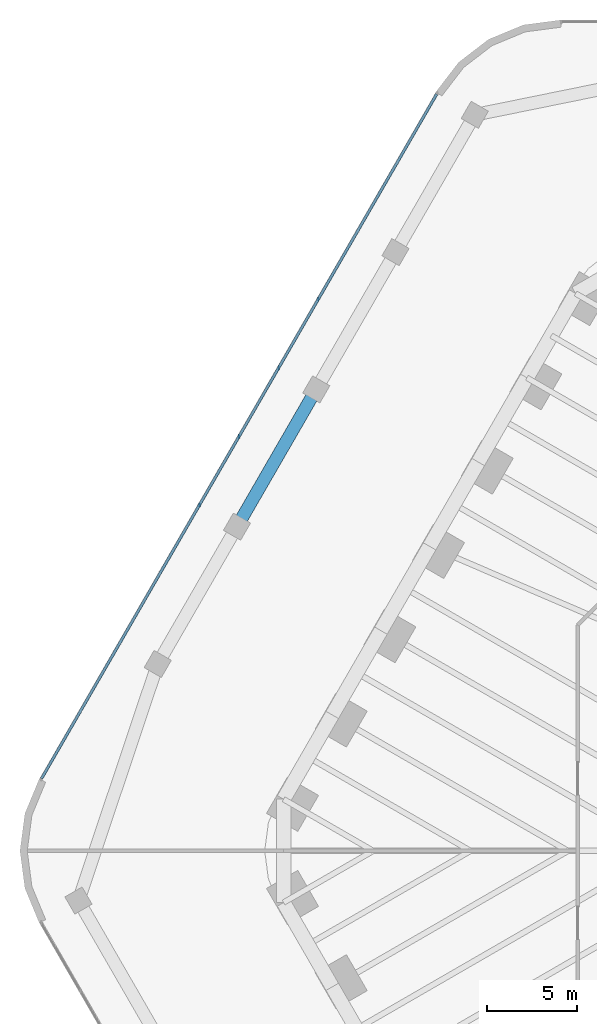
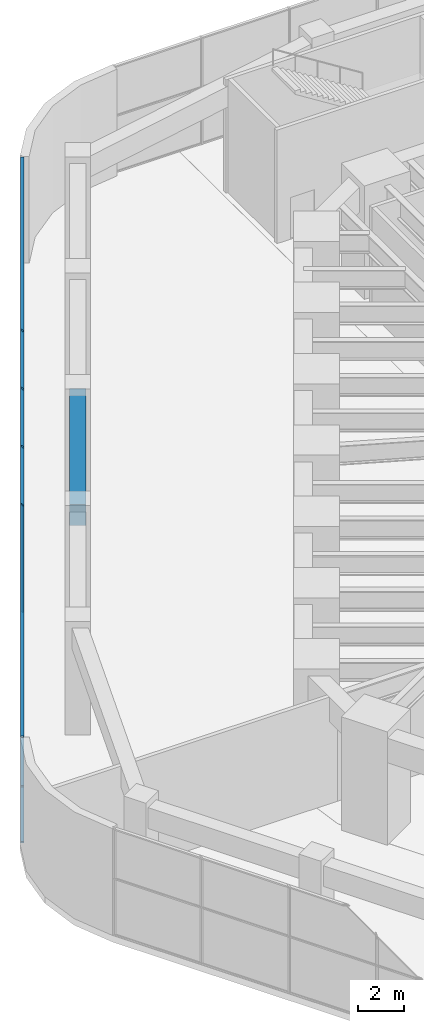
# One storey, part 15 of 31: 7 members, 1 beam, 1 element without a shape of its own.
"""IFC4 building model written with IfcOpenShell, lengths in metres."""

from ifc_helpers import new_model, si_unit, direction, frame, origin, origin_2d, place, context, subcontext, project, spatial, rectangle, extrude, material, material_profile, profile_set, type_object, element, aggregate, save


model = new_model("IFC4")

# Units and contexts
model_context = context("Model", 3, precision=1e-05, world=origin(), true_north=direction((0.0, 1.0)))
body_context = subcontext(model_context, "Body", "Model", "MODEL_VIEW")
ifc_project = project(units=[si_unit("LENGTHUNIT", "METRE"), si_unit("AREAUNIT", "SQUARE_METRE"), si_unit("VOLUMEUNIT", "CUBIC_METRE"), si_unit("PLANEANGLEUNIT", "RADIAN"), si_unit("MASSUNIT", "GRAM", prefix="KILO")], contexts=[model_context])

# Site, building, storey
site_placement = place(None, origin())
site = spatial("IfcSite", under=ifc_project, at=site_placement, CompositionType="ELEMENT")
building_placement = place(site_placement, origin())
building = spatial("IfcBuilding", under=site, at=building_placement, Name="Tarfa Lantern Tower", CompositionType="ELEMENT")
storey_placement = place(building_placement, frame((0.0, 0.0, 7.0)))
storey = spatial("IfcBuildingStorey", under=building, at=storey_placement, Name="L01", CompositionType="ELEMENT", Elevation=7.0)

# Curtain wall, members
ifc_material_1 = material(Name="Aluminium framed curtain wall", Category="aluminium")
curtain_wall_type = type_object("IfcCurtainWallType", Name="CW7 PODIUM GLAZING 5650", PredefinedType="USERDEFINED", material=ifc_material_1)
curtain_wall_placement = place(storey_placement, origin())
curtain_wall = element("IfcCurtainWall", 1, at=curtain_wall_placement, inside=storey, type_object=curtain_wall_type, Name="CW7 NW L01", ObjectType="CURTAIN WALL", PredefinedType="USERDEFINED")
ifc_material_2 = material(Name="Aluminium mullion", Category="aluminium")
ifc_material_profile_1 = material_profile(ifc_material_2, rectangle(XDim=0.06494140625, YDim=0.199951171875, at=origin_2d()), Name="AL MULLION 65x200")
ifc_profile_set_1 = profile_set([ifc_material_profile_1], Name="Aluminium mullion")
member_type_1 = type_object("IfcMemberType", Name="CWM1 MULLION 65x200", PredefinedType="MULLION", material=ifc_profile_set_1)
member_1_placement = place(storey_placement, frame((-35.36279296875, 30.550048828125, 0.0), z_axis=(0.0, 0.0, 1.0), x_axis=(1.0, 0.0, 0.0)))
member_1 = element("IfcMember", 2, at=member_1_placement, type_object=member_type_1, Name="CW7 mullion 4", PredefinedType="MULLION", context=body_context, shape_type="SweptSolid", body=[
    extrude(rectangle(XDim=0.06494140625, YDim=0.199951171875, at=origin_2d()), origin(), (0.0, 0.0, 1.0), 5.64990234375),
])
member_2_placement = place(storey_placement, frame((-37.556640625, 26.75, 0.0), z_axis=(0.0, 0.0, 1.0), x_axis=(1.0, 0.0, 0.0)))
member_2 = element("IfcMember", 3, at=member_2_placement, type_object=member_type_1, Name="CW7 mullion 5", PredefinedType="MULLION", context=body_context, shape_type="SweptSolid", body=[
    extrude(rectangle(XDim=0.06494140625, YDim=0.199951171875, at=origin_2d()), origin(), (0.0, 0.0, 1.0), 5.64990234375),
])
member_3_placement = place(storey_placement, frame((-39.75048828125, 22.949951171875, 0.0), z_axis=(0.0, 0.0, 1.0), x_axis=(1.0, 0.0, 0.0)))
member_3 = element("IfcMember", 4, at=member_3_placement, type_object=member_type_1, Name="CW7 mullion 6", PredefinedType="MULLION", context=body_context, shape_type="SweptSolid", body=[
    extrude(rectangle(XDim=0.06494140625, YDim=0.199951171875, at=origin_2d()), origin(), (0.0, 0.0, 1.0), 5.64990234375),
])
member_4_placement = place(storey_placement, frame((-41.944580078125, 19.14990234375, 0.0), z_axis=(0.0, 0.0, 1.0), x_axis=(1.0, 0.0, 0.0)))
member_4 = element("IfcMember", 5, at=member_4_placement, type_object=member_type_1, Name="CW7 mullion 7", PredefinedType="MULLION", context=body_context, shape_type="SweptSolid", body=[
    extrude(rectangle(XDim=0.06494140625, YDim=0.199951171875, at=origin_2d()), origin(), (0.0, 0.0, 1.0), 5.64990234375),
])
ifc_material_3 = material(Name="Aluminium transom", Category="aluminium")
ifc_material_profile_2 = material_profile(ifc_material_3, rectangle(XDim=0.14990234375, YDim=0.06494140625, at=origin_2d()), Name="AL TRANSOM 150x65")
ifc_profile_set_2 = profile_set([ifc_material_profile_2], Name="Aluminium transom")
member_type_2 = type_object("IfcMemberType", Name="CWT1 TRANSOM 150x65", PredefinedType="USERDEFINED", material=ifc_profile_set_2)
member_5_placement = place(storey_placement, frame((-28.8134765625, 41.893798828125, 0.032470703125), z_axis=(-0.499998927597, -0.866026022936, 0.0), x_axis=(0.866026022936, -0.499998927597, 0.0)))
member_5 = element("IfcMember", 6, at=member_5_placement, type_object=member_type_2, Name="CW7 transom 1.1", ObjectType="TRANSOM", PredefinedType="USERDEFINED", context=body_context, shape_type="SweptSolid", body=[
    extrude(rectangle(XDim=0.14990234375, YDim=0.06494140625, at=origin_2d()), origin(), (0.0, 0.0, 1.0), 43.74853515625),
])
member_6_placement = place(storey_placement, frame((-28.8134765625, 41.893798828125, 3.0), z_axis=(-0.499998927597, -0.866026022936, 0.0), x_axis=(0.866026022936, -0.499998927597, 0.0)))
member_6 = element("IfcMember", 7, at=member_6_placement, type_object=member_type_2, Name="CW7 transom 1.2", ObjectType="TRANSOM", PredefinedType="USERDEFINED", context=body_context, shape_type="SweptSolid", body=[
    extrude(rectangle(XDim=0.14990234375, YDim=0.06494140625, at=origin_2d()), origin(), (0.0, 0.0, 1.0), 43.74853515625),
])
member_7_placement = place(storey_placement, frame((-28.8134765625, 41.893798828125, 5.617431640625), z_axis=(-0.499998927597, -0.866026022936, 0.0), x_axis=(0.866026022936, -0.499998927597, 0.0)))
member_7 = element("IfcMember", 8, at=member_7_placement, type_object=member_type_2, Name="CW7 transom 1.3", ObjectType="TRANSOM", PredefinedType="USERDEFINED", context=body_context, shape_type="SweptSolid", body=[
    extrude(rectangle(XDim=0.14990234375, YDim=0.06494140625, at=origin_2d()), origin(), (0.0, 0.0, 1.0), 43.74853515625),
])
aggregate(curtain_wall, [member_1, member_2, member_3, member_4, member_5, member_6, member_7])

# Beam
ifc_material_4 = material(Name="Concrete C80/95", Category="concrete")
ifc_material_profile_3 = material_profile(ifc_material_4, rectangle(XDim=0.699951171875, YDim=1.10009765625, at=origin_2d()), Name="RC 700x1100")
ifc_profile_set_3 = profile_set([ifc_material_profile_3], Name="Concrete C80/95")
beam_type = type_object("IfcBeamType", Name="PB1 RC 700x1100", PredefinedType="BEAM", material=ifc_profile_set_3)
beam_placement = place(storey_placement, frame((-35.478271484375, 25.550048828125, 5.10009765625), z_axis=(-0.499980931779, -0.866036412547, 0.0), x_axis=(0.866036412547, -0.499980931779, 0.0)))
element("IfcBeam", 9, at=beam_placement, inside=storey, type_object=beam_type, Name="Podium ring beam NW2", PredefinedType="BEAM", context=body_context, shape_type="SweptSolid", body=[
    extrude(rectangle(XDim=0.699951171875, YDim=1.10009765625, at=origin_2d()), origin(), (0.0, 0.0, 1.0), 8.775634765625),
])

save(model, "model.ifc")
